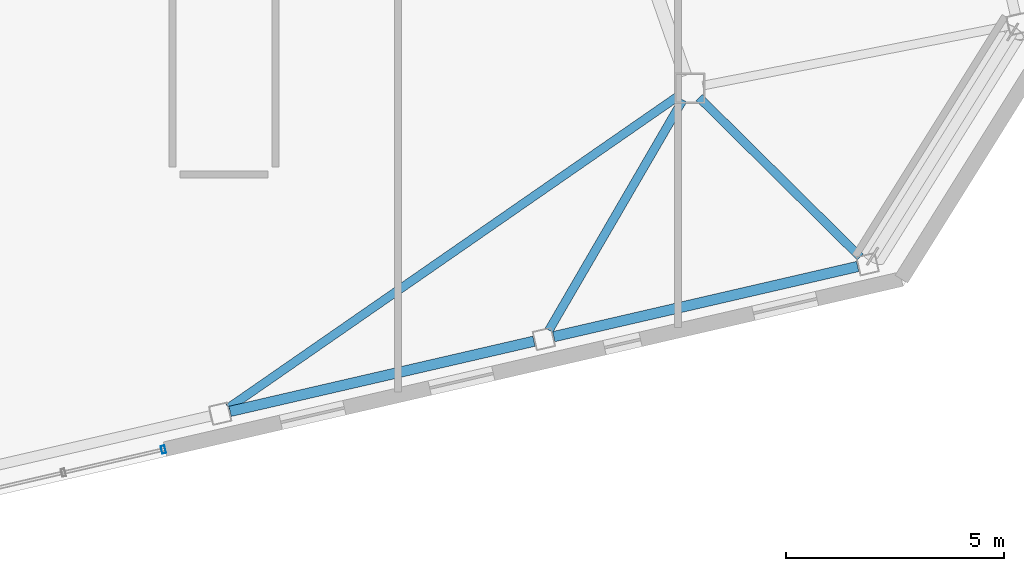
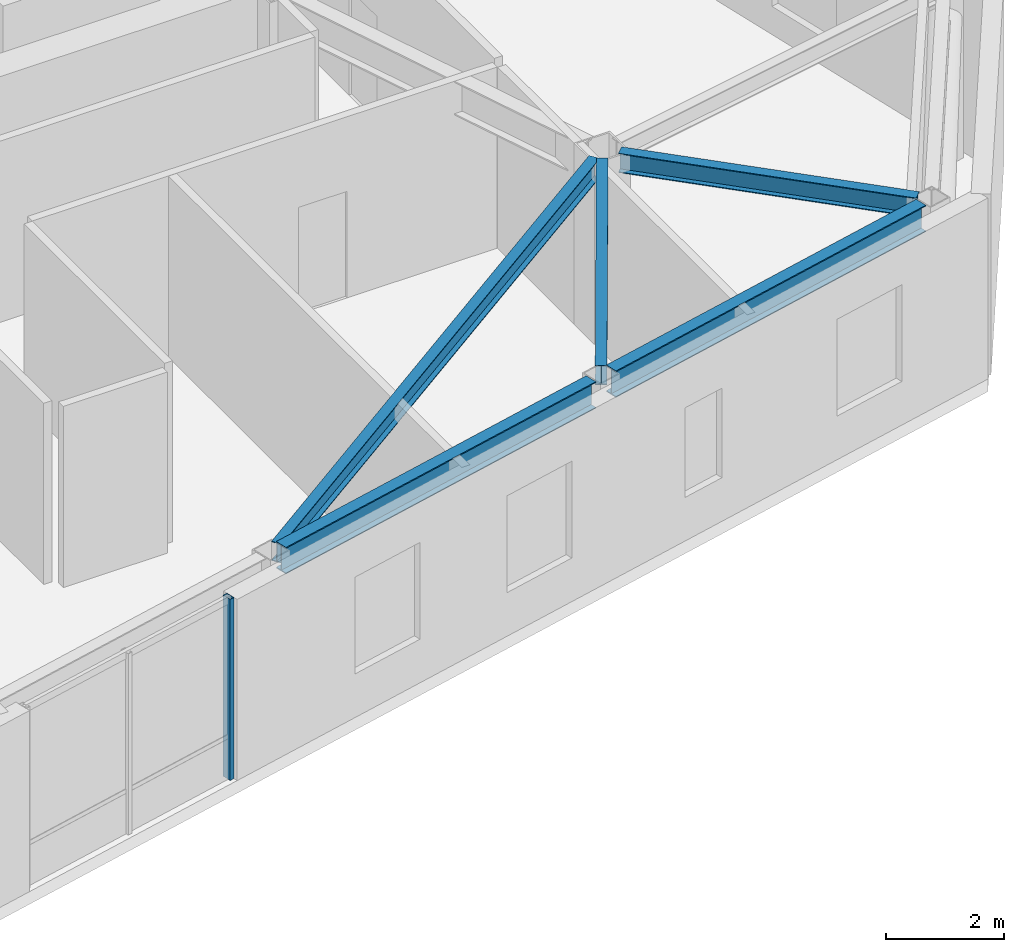
# One storey, part 10 of 23: 5 beams, 1 member, 1 element without a shape of its own.
"""IFC4 building model written with IfcOpenShell, lengths in metres."""

from ifc_helpers import new_model, si_unit, direction, frame, origin, origin_2d, place, context, subcontext, project, spatial, hollow_rectangle, i_section, extrude, material, layer, layer_set, material_profile, profile_set, type_object, element, aggregate, save


model = new_model("IFC4")

# Units and contexts
model_context = context("Model", 3, precision=1e-05, world=origin(), true_north=direction((0.0, 1.0)))
body_context = subcontext(model_context, "Body", "Model", "MODEL_VIEW")
ifc_project = project(units=[si_unit("LENGTHUNIT", "METRE"), si_unit("AREAUNIT", "SQUARE_METRE"), si_unit("VOLUMEUNIT", "CUBIC_METRE"), si_unit("PLANEANGLEUNIT", "RADIAN"), si_unit("MASSUNIT", "GRAM", prefix="KILO")], contexts=[model_context])

# Site, building, storey
site_placement = place(None, origin())
site = spatial("IfcSite", under=ifc_project, at=site_placement, CompositionType="ELEMENT")
building_placement = place(site_placement, origin())
building = spatial("IfcBuilding", under=site, at=building_placement, Name="Tavrogorsk Clinical Tower", CompositionType="ELEMENT")
storey_placement = place(building_placement, frame((0.0, 0.0, 301.0)))
storey = spatial("IfcBuildingStorey", under=building, at=storey_placement, Name="L70", CompositionType="ELEMENT", Elevation=301.0)

# Curtain wall, member
ifc_material_1 = material(Name="Anodised aluminium and triple IGU glazing", Category="aluminium")
ifc_layer = layer(ifc_material_1, 0.179931640625)
ifc_layer_set = layer_set([ifc_layer], Name="Anodised aluminium and triple IGU glazing")
curtain_wall_type = type_object("IfcCurtainWallType", Name="CW3_SouthSlot", PredefinedType="NOTDEFINED", material=ifc_layer_set)
curtain_wall_placement = place(storey_placement, origin())
curtain_wall = element("IfcCurtainWall", 1, at=curtain_wall_placement, inside=storey, type_object=curtain_wall_type, Name="L70 Curtain Wall CW-L70-S-SLOT-2", PredefinedType="NOTDEFINED")
ifc_material_2 = material(Name="Anodised aluminium alloy AW-6060", Category="aluminium")
ifc_material_profile_1 = material_profile(ifc_material_2, hollow_rectangle(XDim=0.090087890625, YDim=0.179931640625, WallThickness=0.00634765625, at=origin_2d()), Name="RHS-180x90x6.3")
ifc_profile_set_1 = profile_set([ifc_material_profile_1], Name="Anodised aluminium alloy AW-6060")
member_type = type_object("IfcMemberType", Name="CwMullion_180x90", PredefinedType="MULLION", material=ifc_profile_set_1)
member_placement = place(storey_placement, frame((12.4052734375, -21.504638671875, 0.0), z_axis=(0.0, 0.0, 1.0), x_axis=(0.974370057377, 0.224951086434, 0.0)))
member = element("IfcMember", 2, at=member_placement, type_object=member_type, Name="CW-L70-S-SLOT-2 Mullion 3", PredefinedType="MULLION", context=body_context, shape_type="SweptSolid", body=[
    extrude(hollow_rectangle(XDim=0.090087890625, YDim=0.179931640625, WallThickness=0.00634765625, at=origin_2d()), origin(), (0.0, 0.0, 1.0), 3.739990234375),
])
aggregate(curtain_wall, [member])

# Beams
ifc_material_3 = material(Name="Structural steel S355", Category="steel")
ifc_material_profile_2 = material_profile(ifc_material_3, i_section(OverallWidth=0.199951171875, OverallDepth=0.39990234375, WebThickness=0.010498046875, FlangeThickness=0.01611328125, at=origin_2d()), Name="B-400x200x10.5x16")
ifc_profile_set_2 = profile_set([ifc_material_profile_2], Name="Structural steel S355")
beam_type_1 = type_object("IfcBeamType", Name="FloorBeam_B400", PredefinedType="BEAM", material=ifc_profile_set_2)
beam_1_placement = place(storey_placement, frame((24.245361328125, -13.376708984375, 3.5400390625), z_axis=(-0.821821874963, -0.56974450926, 0.0), x_axis=(0.56974450926, -0.821821874963, 0.0)))
element("IfcBeam", 3, at=beam_1_placement, inside=storey, type_object=beam_type_1, Name="L70 Radial Floor Beam S6", PredefinedType="BEAM", context=body_context, shape_type="SweptSolid", body=[
    extrude(i_section(OverallWidth=0.199951171875, OverallDepth=0.39990234375, WebThickness=0.010498046875, FlangeThickness=0.01611328125, at=origin_2d()), origin(), (0.0, 0.0, 1.0), 12.5849609375),
])
beam_2_placement = place(storey_placement, frame((24.34423828125, -13.468017578125, 3.5400390625), z_axis=(-0.50260105099, -0.864518469174, 0.0), x_axis=(0.864518469174, -0.50260105099, 0.0)))
element("IfcBeam", 4, at=beam_2_placement, inside=storey, type_object=beam_type_1, Name="L70 Radial Floor Beam S7", PredefinedType="BEAM", context=body_context, shape_type="SweptSolid", body=[
    extrude(i_section(OverallWidth=0.199951171875, OverallDepth=0.39990234375, WebThickness=0.010498046875, FlangeThickness=0.01611328125, at=origin_2d()), origin(), (0.0, 0.0, 1.0), 6.12255859375),
])
beam_3_placement = place(storey_placement, frame((24.720458984375, -13.41796875, 3.5400390625), z_axis=(0.710870207436, -0.703323217433, 0.0), x_axis=(0.703323217433, 0.710870207436, 0.0)))
element("IfcBeam", 5, at=beam_3_placement, inside=storey, type_object=beam_type_1, Name="L70 Radial Floor Beam S8", PredefinedType="BEAM", context=body_context, shape_type="SweptSolid", body=[
    extrude(i_section(OverallWidth=0.199951171875, OverallDepth=0.39990234375, WebThickness=0.010498046875, FlangeThickness=0.01611328125, at=origin_2d()), origin(), (0.0, 0.0, 1.0), 5.208251953125),
])
ifc_material_4 = material(Name="Structural steel S390", Category="steel")
ifc_material_profile_3 = material_profile(ifc_material_4, i_section(OverallWidth=0.239990234375, OverallDepth=0.550048828125, WebThickness=0.013916015625, FlangeThickness=0.02197265625, at=origin_2d()), Name="B-550x240x14x22")
ifc_profile_set_3 = profile_set([ifc_material_profile_3], Name="Structural steel S390")
beam_type_2 = type_object("IfcBeamType", Name="SpandrelBeam_B550", PredefinedType="SPANDREL", material=ifc_profile_set_3)
for number, where, z_axis, x_axis, name in (
    (6, (13.938232421875, -20.627197265625, 3.465087890625), (0.974369378592, 0.224954026551, 0.0), (-0.224954026551, 0.974369378592, 0.0), "L70 Perimeter Spandrel S6-S7"),
    (7, (21.376953125, -18.909912109375, 3.465087890625), (0.974369378592, 0.224954026551, 0.0), (-0.224954026551, 0.974369378592, 0.0), "L70 Perimeter Spandrel S7-S8"),
):
    element("IfcBeam", number, at=place(storey_placement, frame(where, z_axis=z_axis, x_axis=x_axis)), inside=storey, type_object=beam_type_2, Name=name, PredefinedType="SPANDREL", context=body_context, shape_type="SweptSolid", body=[
        extrude(i_section(OverallWidth=0.239990234375, OverallDepth=0.550048828125, WebThickness=0.013916015625, FlangeThickness=0.02197265625, at=origin_2d()), origin(), (0.0, 0.0, 1.0), 7.16845703125),
    ])

save(model, "model.ifc")
